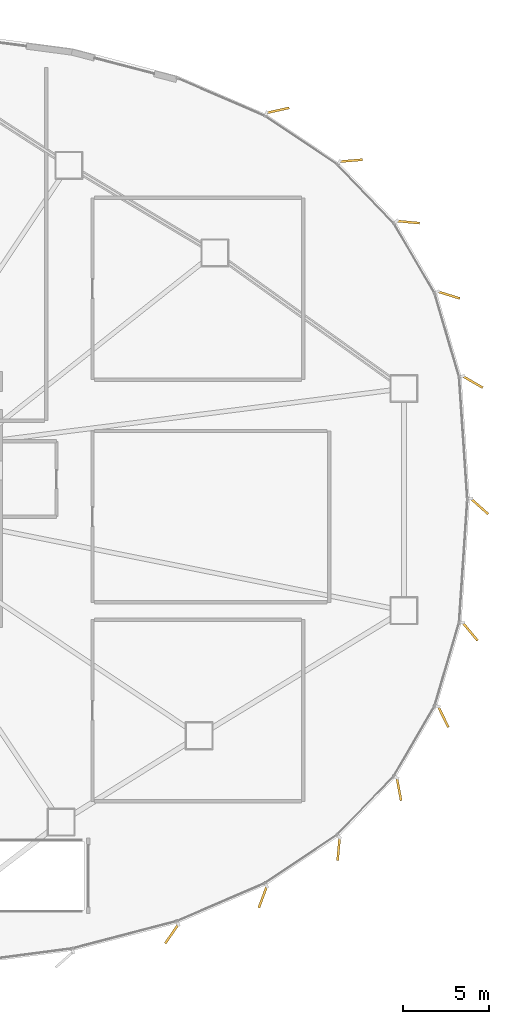
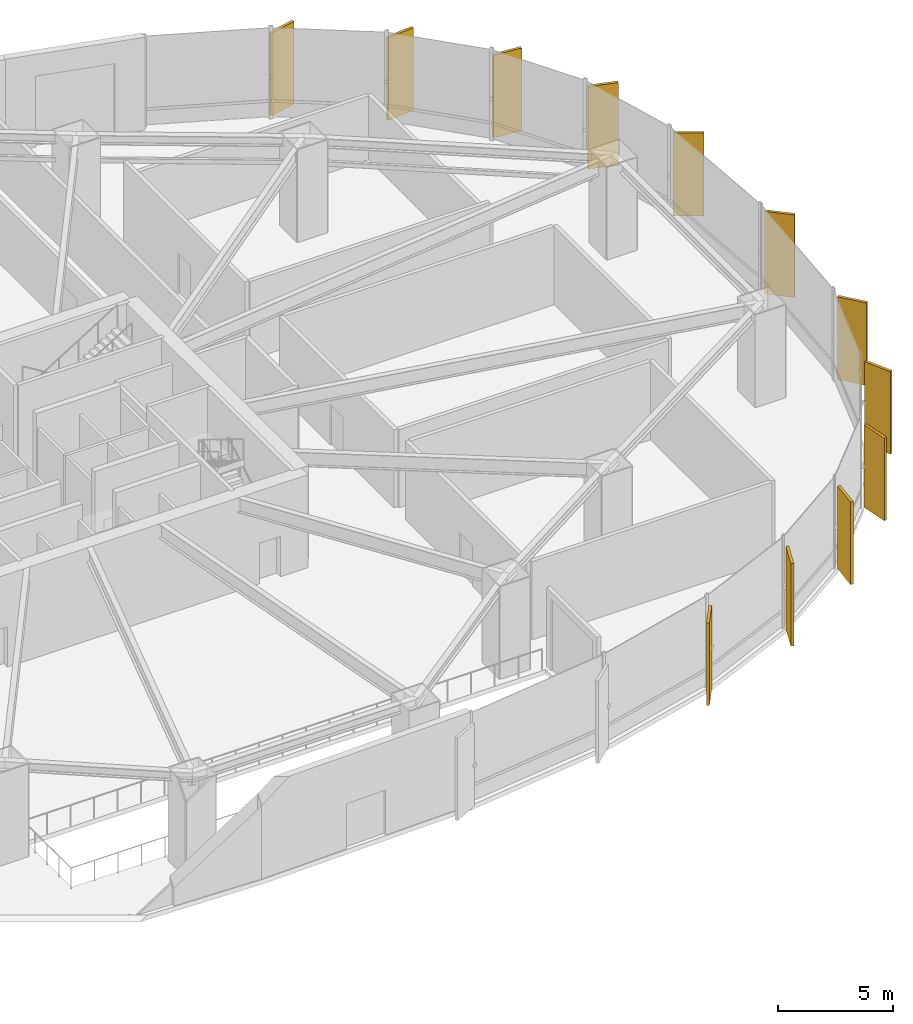
# One storey, part 34 of 35: 12 coverings.
"""IFC4 building model written with IfcOpenShell, lengths in metres."""

from ifc_helpers import new_model, si_unit, direction, frame, origin, origin_2d, place, context, subcontext, project, spatial, rectangle, extrude, source, transform, mapped, material, layer, layer_set, type_object, element, save


model = new_model("IFC4")

# Units and contexts
model_context = context("Model", 3, precision=1e-05, world=origin(), true_north=direction((0.0, 1.0)))
body_context = subcontext(model_context, "Body", "Model", "MODEL_VIEW")
ifc_project = project(units=[si_unit("LENGTHUNIT", "METRE"), si_unit("AREAUNIT", "SQUARE_METRE"), si_unit("VOLUMEUNIT", "CUBIC_METRE"), si_unit("PLANEANGLEUNIT", "RADIAN"), si_unit("MASSUNIT", "GRAM", prefix="KILO"), si_unit("THERMODYNAMICTEMPERATUREUNIT", "KELVIN")], contexts=[model_context])

# Site, building, storey
site_placement = place(None, origin())
site = spatial("IfcSite", under=ifc_project, at=site_placement, CompositionType="ELEMENT")
building_placement = place(site_placement, origin())
building = spatial("IfcBuilding", under=site, at=building_placement, Name="Kethvar Cultural Tower", CompositionType="ELEMENT")
storey_placement = place(building_placement, origin())
storey = spatial("IfcBuildingStorey", under=building, at=storey_placement, Name="L00", CompositionType="ELEMENT", Elevation=0.0)

# Coverings
ifc_material = material(Name="Extruded Architectural Terracotta", Category="masonry")
ifc_layer = layer(ifc_material, 0.135009765625, Name="Extruded Architectural Terracotta", Category="masonry")
ifc_layer_set = layer_set([ifc_layer], Name="Extruded Architectural Terracotta (135 mm)")
covering_type = type_object("IfcCoveringType", Name="Terracotta Facade Fin FIN-04", PredefinedType="CLADDING", material=ifc_layer_set)
shared_shape = source(origin(), body_context, "Body", "SweptSolid", [
    extrude(rectangle(XDim=1.35009765625, YDim=0.135009765625, at=origin_2d()), origin(), (0.0, 0.0, 1.0), 4.39990234375),
])
for number, where, z_axis, x_axis, name in (
    (1, (83.77880859375, 27.403076171875, 0.02001953125), (0.0, 0.0, 1.0), (0.744194976126, -0.66796245217, 0.0), "L00 Vertical Terracotta Fin 1.1"),
    (2, (83.37890625, 34.66357421875, 0.02001953125), (0.0, 0.0, 1.0), (0.865850818101, -0.500302269426, 0.0), "L00 Vertical Terracotta Fin 1.2"),
    (3, (81.988525390625, 39.730712890625, 0.02001953125), (0.0, 0.0, 1.0), (0.954500927457, -0.298207946716, 0.0), "L00 Vertical Terracotta Fin 1.3"),
    (4, (79.6142578125, 43.986572265625, 0.02001953125), (0.0, 0.0, 1.0), (0.995676196569, -0.092891934994, 0.0), "L00 Vertical Terracotta Fin 1.4"),
    (5, (76.2802734375, 47.56884765625, 0.02001953125), (0.0, 0.0, 1.0), (0.996478239533, 0.083851762871, 0.0), "L00 Vertical Terracotta Fin 1.5"),
    (6, (72.01708984375, 50.50341796875, 0.02001953125), (0.0, 0.0, 1.0), (0.976371499317, 0.216098809163, 0.0), "L00 Vertical Terracotta Fin 1.6"),
    (7, (65.822021484375, 2.4619140625, 0.02001953125), (0.0, 0.0, 1.0), (-0.567556381667, -0.823334533242, 0.0), "L00 Vertical Terracotta Fin 4.3"),
    (8, (71.1357421875, 4.61669921875, 0.02001953125), (0.0, 0.0, 1.0), (-0.348081239861, -0.9374643729, 0.0), "L00 Vertical Terracotta Fin 4.4"),
    (9, (75.55859375, 7.426513671875, 0.02001953125), (0.0, 0.0, 1.0), (-0.092023008338, -0.995756880939, 0.0), "L00 Vertical Terracotta Fin 4.5"),
    (10, (79.076904296875, 10.90234375, 0.02001953125), (0.0, 0.0, 1.0), (0.182750331554, -0.983159354488, 0.0), "L00 Vertical Terracotta Fin 4.6"),
    (11, (81.662109375, 15.126220703125, 0.02001953125), (0.0, 0.0, 1.0), (0.439312121178, -0.898334492373, 0.0), "L00 Vertical Terracotta Fin 5.1"),
    (12, (83.229248046875, 20.09716796875, 0.02001953125), (0.0, 0.0, 1.0), (0.639707339446, -0.768618578918, 0.0), "L00 Vertical Terracotta Fin 5.2"),
):
    element("IfcCovering", number, at=place(storey_placement, frame(where, z_axis=z_axis, x_axis=x_axis)), inside=storey, type_object=covering_type, Name=name, PredefinedType="CLADDING", context=body_context, shape_type="MappedRepresentation", body=[
        mapped(shared_shape, transform((0.0, 0.0, 0.0), scale=1.0)),
    ])

save(model, "model.ifc")
